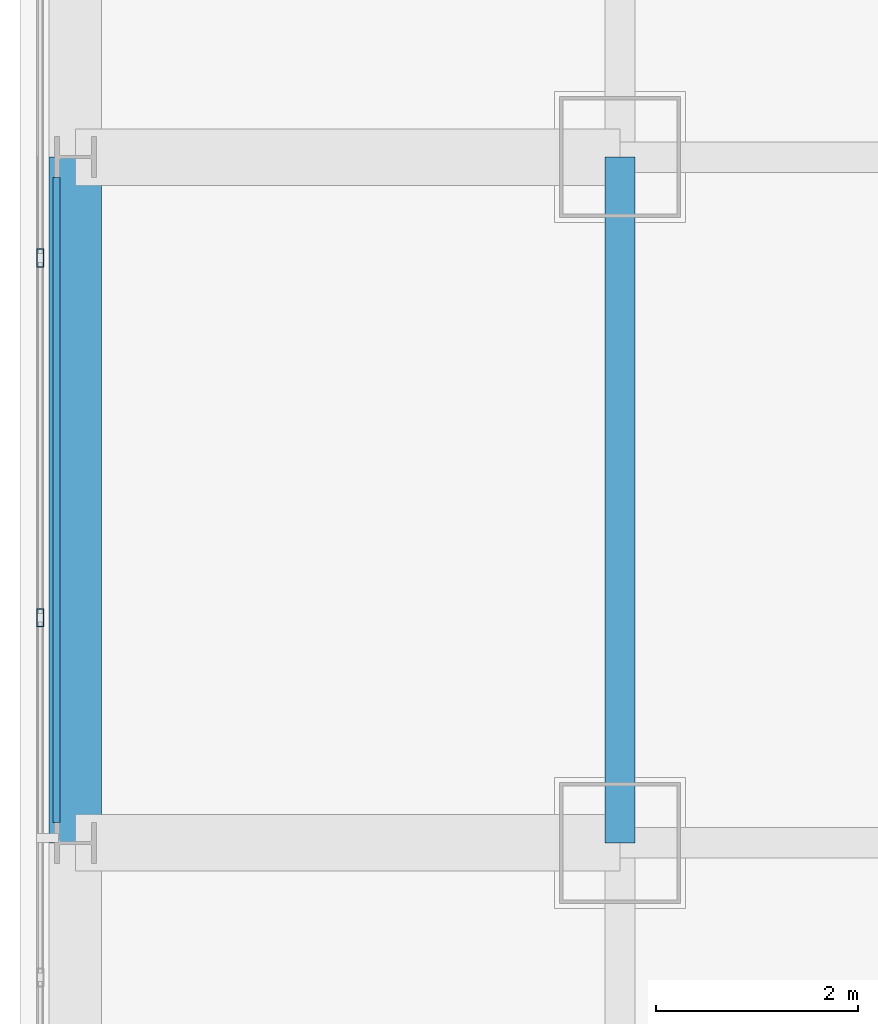
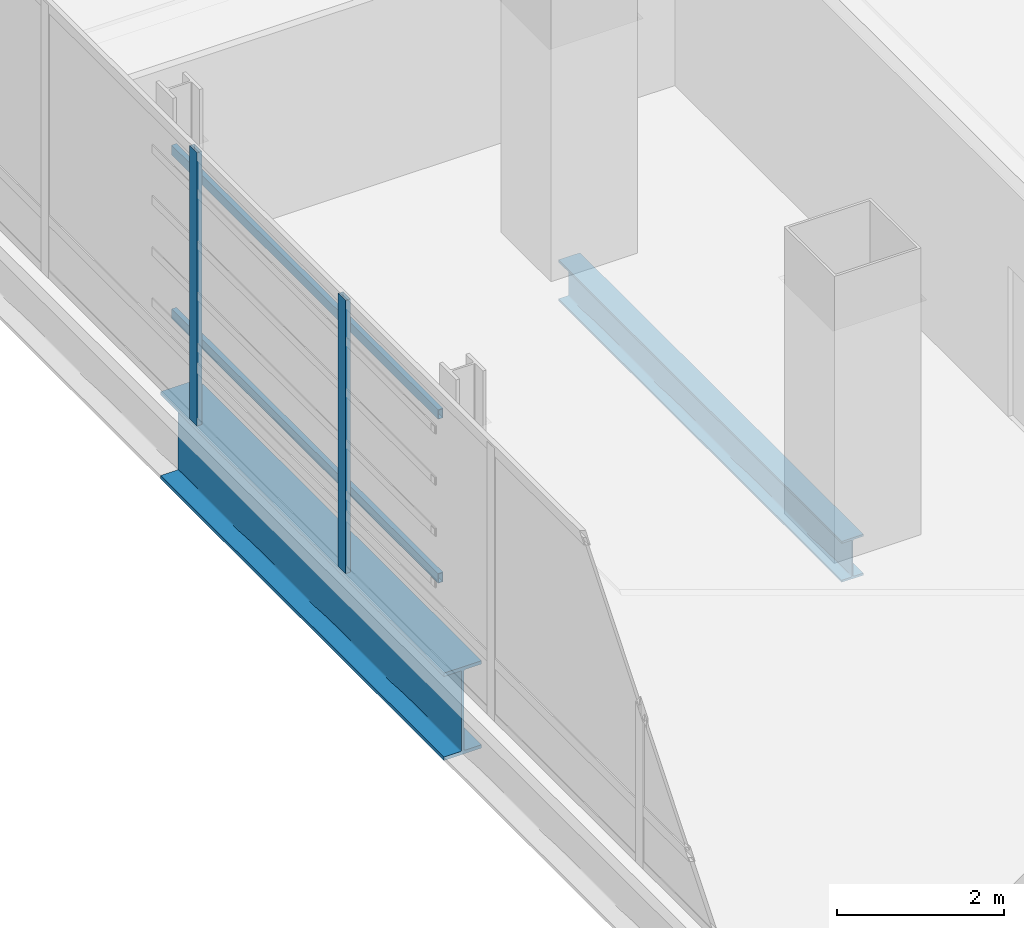
# One storey, part 11 of 42: 4 members, 2 beams, 1 element without a shape of its own.
"""IFC4 building model written with IfcOpenShell, lengths in metres."""

import ifcopenshell
import ifcopenshell.guid

model = None  # the IFC model being written
_history = None  # IfcOwnerHistory: only IFC2X3 demands one
_inside = {}  # id of a spatial element -> (the spatial element, [elements in it])
_under = {}  # id of a project, library or spatial element -> (it, [spatial elements below it])
_declared = {}  # id of a project -> (the project, [libraries it declares])
_typed = {}  # id of a type object -> (the type object, [elements of that type])
_made_of = {}  # id of a material, layer set ... -> (it, [elements and type objects made of it])


def new_model(schema):
    """Start an empty IFC model of exactly this schema.

    Asked for "IFC4X3", IfcOpenShell would pick the latest addendum, in which some entities
    have other attributes; the version numbers below select the first issue.
    IFC2X3 requires an IfcOwnerHistory on every rooted entity: one is made here for all.
    """
    global model, _history
    if schema == "IFC4X3":
        model = ifcopenshell.file(schema_version=(4, 3, 0, 0))
    else:
        model = ifcopenshell.file(schema=schema)
    _inside.clear()
    _under.clear()
    _declared.clear()
    _typed.clear()
    _made_of.clear()
    _history = None
    if model.schema == "IFC2X3":
        org = make("IfcOrganization", Name="unknown")
        user = make(
            "IfcPersonAndOrganization",
            ThePerson=make("IfcPerson", FamilyName="unknown"),
            TheOrganization=org,
        )
        app = make(
            "IfcApplication",
            ApplicationDeveloper=org,
            Version="unknown",
            ApplicationFullName="unknown",
            ApplicationIdentifier="unknown",
        )
        _history = make(
            "IfcOwnerHistory",
            OwningUser=user,
            OwningApplication=app,
            ChangeAction="ADDED",
            CreationDate=0,
        )
    return model


def make(cls, **values):
    """One entity of the class cls with the attributes given. An attribute that is None is left unset."""
    return model.create_entity(
        cls, **{name: value for name, value in values.items() if value is not None}
    )


def rooted(cls, **values):
    """An entity with a GlobalId (a new one), such as an element, a storey or a relation."""
    return make(cls, GlobalId=ifcopenshell.guid.new(), OwnerHistory=_history, **values)


def si_unit(unit_type, name, prefix=None):
    """IfcSIUnit, for example si_unit("LENGTHUNIT", "METRE", prefix="MILLI")."""
    return make("IfcSIUnit", UnitType=unit_type, Prefix=prefix, Name=name)


def assignment(units):
    """IfcUnitAssignment: the units of a project."""
    return None if units is None else make("IfcUnitAssignment", Units=units)


def point(xyz):
    """IfcCartesianPoint."""
    return None if xyz is None else make("IfcCartesianPoint", Coordinates=xyz)


def direction(xyz):
    """IfcDirection."""
    return None if xyz is None else make("IfcDirection", DirectionRatios=xyz)


def frame(location, z_axis=None, x_axis=None):
    """IfcAxis2Placement3D, a coordinate frame: its origin and axes. An axis left out is left unset."""
    return make(
        "IfcAxis2Placement3D",
        Location=point(location),
        Axis=direction(z_axis),
        RefDirection=direction(x_axis),
    )


def frame_2d(location, x_axis=None):
    """IfcAxis2Placement2D, a coordinate frame in the plane: its origin and x axis."""
    return make(
        "IfcAxis2Placement2D", Location=point(location), RefDirection=direction(x_axis)
    )


def origin():
    """The frame at (0, 0, 0) with its axes left unset."""
    return frame((0.0, 0.0, 0.0))


def origin_2d():
    """The frame at (0, 0) in the plane with its x axis left unset."""
    return frame_2d((0.0, 0.0))


def place(relative_to, where):
    """IfcLocalPlacement: puts the frame where relative to a parent placement (None: the world)."""
    return make(
        "IfcLocalPlacement", PlacementRelTo=relative_to, RelativePlacement=where
    )


def context(
    kind, dimensions, precision=None, world=None, true_north=None, identifier=None
):
    """IfcGeometricRepresentationContext, for example the 3D "Model" context."""
    return make(
        "IfcGeometricRepresentationContext",
        ContextIdentifier=identifier,
        ContextType=kind,
        CoordinateSpaceDimension=dimensions,
        Precision=precision,
        WorldCoordinateSystem=world,
        TrueNorth=true_north,
    )


def subcontext(parent, identifier, kind, view, scale=None):
    """IfcGeometricRepresentationSubContext, for example "Body" below "Model"."""
    return make(
        "IfcGeometricRepresentationSubContext",
        ContextIdentifier=identifier,
        ContextType=kind,
        ParentContext=parent,
        TargetScale=scale,
        TargetView=view,
    )


def project(units=None, contexts=None):
    """IfcProject with its units and contexts."""
    return rooted(
        "IfcProject",
        Name="project",
        RepresentationContexts=contexts,
        UnitsInContext=assignment(units),
    )


def spatial(cls, under=None, at=None, **own):
    """A site, building, storey or space (cls), placed at a placement, below another one or the project."""
    s = rooted(cls, ObjectPlacement=at, **own)
    if under is not None:
        _under.setdefault(under.id(), (under, []))[1].append(s)
    return s


def profile(cls, at=None, kind="AREA", **sizes):
    """A parametric profile (cls). Its sizes go by their IFC names, for example OverallWidth=200.0."""
    return make(cls, ProfileType=kind, Position=at, **sizes)


def hollow_rectangle(**sizes):
    """IfcRectangleHollowProfileDef."""
    return profile("IfcRectangleHollowProfileDef", **sizes)


def i_section(**sizes):
    """IfcIShapeProfileDef."""
    return profile("IfcIShapeProfileDef", **sizes)


def extrude(swept, where, along, depth):
    """IfcExtrudedAreaSolid: the profile swept, set in the frame where, extruded along a direction by depth."""
    return make(
        "IfcExtrudedAreaSolid",
        SweptArea=swept,
        Position=where,
        ExtrudedDirection=direction(along),
        Depth=depth,
    )


def shape(context_of_items, identifier, shape_type, items):
    """IfcShapeRepresentation: the items that make up one representation, for example the "Body"."""
    return make(
        "IfcShapeRepresentation",
        ContextOfItems=context_of_items,
        RepresentationIdentifier=identifier,
        RepresentationType=shape_type,
        Items=items,
    )


def material(Name=None, Category=None):
    """IfcMaterial."""
    return make("IfcMaterial", Name=Name, Category=Category)


def material_profile(
    of_material, cross_section, Name=None, Category=None, Priority=None
):
    """IfcMaterialProfile: a cross section and its material."""
    return make(
        "IfcMaterialProfile",
        Name=Name,
        Material=of_material,
        Profile=cross_section,
        Priority=Priority,
        Category=Category,
    )


def profile_set(profiles, Name=None, composite=None):
    """IfcMaterialProfileSet."""
    return make(
        "IfcMaterialProfileSet",
        Name=Name,
        MaterialProfiles=profiles,
        CompositeProfile=composite,
    )


def made_of(thing, what):
    """Note that an element or type object is made of a material, layer set ...; save() writes the relation."""
    if what is not None:
        _made_of.setdefault(what.id(), (what, []))[1].append(thing)
    return thing


def type_object(cls, material=None, **own):
    """A type object (cls), such as IfcWallType, which elements share."""
    return made_of(rooted(cls, **own), material)


def element(
    cls,
    number,
    at=None,
    inside=None,
    cuts=None,
    type_object=None,
    material=None,
    context=None,
    identifier="Body",
    shape_type=None,
    held_by="IfcProductDefinitionShape",
    body=None,
    shapes=None,
    **own,
):
    """One element of the class cls, such as IfcWall. Its Tag is "e" and its number.

    at: its placement. inside: the storey or other place that contains it. cuts: it is an
    opening in that element (IfcRelVoidsElement). A single representation is given by context,
    identifier, shape_type and body (its items); several are given by shapes. held_by: the class
    of the entity that holds the representations. save() writes the other relations.
    """
    e = rooted(cls, Tag="e%d" % number, ObjectPlacement=at, **own)
    if body is not None:
        shapes = [shape(context, identifier, shape_type, body)]
    if shapes is not None:
        e.Representation = make(held_by, Representations=shapes)
    if inside is not None:
        _inside.setdefault(inside.id(), (inside, []))[1].append(e)
    if cuts is not None:
        rooted(
            "IfcRelVoidsElement", RelatingBuildingElement=cuts, RelatedOpeningElement=e
        )
    if type_object is not None:
        _typed.setdefault(type_object.id(), (type_object, []))[1].append(e)
    return made_of(e, material)


def aggregate(whole, parts):
    """IfcRelAggregates: a whole, such as a stair, and the parts it consists of."""
    return rooted("IfcRelAggregates", RelatingObject=whole, RelatedObjects=parts)


def save(model, path):
    """Write the relations noted so far, then the file.

    IfcRelAggregates (storeys below a building ...), IfcRelContainedInSpatialStructure (elements
    in a storey), IfcRelDefinesByType, IfcRelAssociatesMaterial and IfcRelDeclares: one each for
    every whole, place, type object, material and project.
    """
    for whole, parts in _under.values():
        aggregate(whole, parts)
    for where, things in _inside.values():
        rooted(
            "IfcRelContainedInSpatialStructure",
            RelatedElements=things,
            RelatingStructure=where,
        )
    for kind, things in _typed.values():
        rooted("IfcRelDefinesByType", RelatedObjects=things, RelatingType=kind)
    for what, things in _made_of.values():
        rooted("IfcRelAssociatesMaterial", RelatedObjects=things, RelatingMaterial=what)
    for by, libraries in _declared.values():
        rooted("IfcRelDeclares", RelatingContext=by, RelatedDefinitions=libraries)
    model.write(path)


model = new_model("IFC4")

# Units and contexts
model_context = context("Model", 3, precision=1e-05, world=origin(), true_north=direction((0.0, 1.0)))
body_context = subcontext(model_context, "Body", "Model", "MODEL_VIEW")
ifc_project = project(units=[si_unit("LENGTHUNIT", "METRE"), si_unit("AREAUNIT", "SQUARE_METRE"), si_unit("VOLUMEUNIT", "CUBIC_METRE"), si_unit("PLANEANGLEUNIT", "RADIAN"), si_unit("MASSUNIT", "GRAM", prefix="KILO")], contexts=[model_context])

# Site, building, storey
site_placement = place(None, origin())
site = spatial("IfcSite", under=ifc_project, at=site_placement, CompositionType="ELEMENT")
building_placement = place(site_placement, origin())
building = spatial("IfcBuilding", under=site, at=building_placement, Name="Punatoya Terracotta Tower", CompositionType="ELEMENT")
storey_placement = place(building_placement, frame((0.0, 0.0, 304.800048828125)))
storey = spatial("IfcBuildingStorey", under=building, at=storey_placement, Name="L72", CompositionType="ELEMENT", Elevation=304.800048828125)

# Beams
ifc_material_1 = material(Name="Steel S355", Category="steel")
ifc_material_profile_1 = material_profile(ifc_material_1, i_section(OverallWidth=0.300048828125, OverallDepth=0.60009765625, WebThickness=0.015380859375, FlangeThickness=0.030029296875, FilletRadius=0.01806640625, at=origin_2d()))
ifc_profile_set_1 = profile_set([ifc_material_profile_1], Name="Steel S355")
beam_type_1 = type_object("IfcBeamType", Name="BM-PRI-600", PredefinedType="BEAM", material=ifc_profile_set_1)
beam_1_placement = place(storey_placement, frame((-19.10009765625, -3.39990234375, -0.5), z_axis=(0.0, 1.0, 0.0), x_axis=(-1.0, 0.0, 0.0)))
element("IfcBeam", 1, at=beam_1_placement, inside=storey, type_object=beam_type_1, Name="BM-L72-RG-W2", PredefinedType="BEAM", context=body_context, shape_type="SweptSolid", body=[
    extrude(i_section(OverallWidth=0.300048828125, OverallDepth=0.60009765625, WebThickness=0.015380859375, FlangeThickness=0.030029296875, FilletRadius=0.01806640625, at=origin_2d()), origin(), (0.0, 0.0, 1.0), 6.7998046875),
])
ifc_material_2 = material(Name="Steel S460", Category="steel")
ifc_material_profile_2 = material_profile(ifc_material_2, i_section(OverallWidth=0.52001953125, OverallDepth=1.280029296875, WebThickness=0.031982421875, FlangeThickness=0.050048828125, FilletRadius=0.01806640625, at=origin_2d()))
ifc_profile_set_2 = profile_set([ifc_material_profile_2], Name="Steel S460")
beam_type_2 = type_object("IfcBeamType", Name="BM-TG-NCK", PredefinedType="BEAM", material=ifc_profile_set_2)
beam_2_placement = place(storey_placement, frame((-24.5, -3.39990234375, -0.840087890625), z_axis=(0.0, 1.0, 0.0), x_axis=(-1.0, 0.0, 0.0)))
element("IfcBeam", 2, at=beam_2_placement, inside=storey, type_object=beam_type_2, Name="BM-L72-PER-W2", PredefinedType="BEAM", context=body_context, shape_type="SweptSolid", body=[
    extrude(i_section(OverallWidth=0.52001953125, OverallDepth=1.280029296875, WebThickness=0.031982421875, FlangeThickness=0.050048828125, FilletRadius=0.01806640625, at=origin_2d()), origin(), (0.0, 0.0, 1.0), 6.7998046875),
])

# Curtain wall, members
ifc_material_3 = material(Name="Aluminium 6063-T6 + Double Low-E Glass", Category="aluminium")
curtain_wall_type = type_object("IfcCurtainWallType", Name="CW-M3", PredefinedType="NOTDEFINED", material=ifc_material_3)
curtain_wall_placement = place(storey_placement, origin())
curtain_wall = element("IfcCurtainWall", 3, at=curtain_wall_placement, inside=storey, type_object=curtain_wall_type, Name="L72 Curtain Wall CW-L72-W13-1", PredefinedType="NOTDEFINED")
ifc_material_4 = material(Name="Aluminium 6063-T6", Category="aluminium")
ifc_material_profile_3 = material_profile(ifc_material_4, hollow_rectangle(XDim=0.070068359375, YDim=0.179931640625, WallThickness=0.00390625, at=origin_2d()))
ifc_profile_set_3 = profile_set([ifc_material_profile_3], Name="Aluminium 6063-T6")
member_type_1 = type_object("IfcMemberType", Name="CW-MUL-M3", PredefinedType="MULLION", material=ifc_profile_set_3)
member_1_placement = place(storey_placement, frame((-24.85009765625, 2.39990234375, 0.0), z_axis=(0.0, 0.0, 1.0), x_axis=(1.0, 0.0, 0.0)))
member_1 = element("IfcMember", 4, at=member_1_placement, type_object=member_type_1, Name="CW-L72-W13-1 Mullion 05", PredefinedType="MULLION", context=body_context, shape_type="SweptSolid", body=[
    extrude(hollow_rectangle(XDim=0.070068359375, YDim=0.179931640625, WallThickness=0.00390625, at=origin_2d()), origin(), (0.0, 0.0, 1.0), 4.0),
])
member_2_placement = place(storey_placement, frame((-24.85009765625, -1.16748046875, 0.0), z_axis=(0.0, 0.0, 1.0), x_axis=(1.0, 0.0, 0.0)))
member_2 = element("IfcMember", 5, at=member_2_placement, type_object=member_type_1, Name="CW-L72-W13-1 Mullion 06", PredefinedType="MULLION", context=body_context, shape_type="SweptSolid", body=[
    extrude(hollow_rectangle(XDim=0.070068359375, YDim=0.179931640625, WallThickness=0.00390625, at=origin_2d()), origin(), (0.0, 0.0, 1.0), 4.0),
])
aggregate(curtain_wall, [member_1, member_2])

# Members
ifc_material_profile_4 = material_profile(ifc_material_1, hollow_rectangle(XDim=0.070068359375, YDim=0.139892578125, WallThickness=0.006103515625, at=origin_2d()))
ifc_profile_set_4 = profile_set([ifc_material_profile_4], Name="Steel S355")
member_type_2 = type_object("IfcMemberType", Name="MEM-BAG-RAIL", PredefinedType="USERDEFINED", material=ifc_profile_set_4)
for number, where, z_axis, x_axis, name in (
    (6, (-24.68994140625, -3.197509765625, 1.050048828125), (0.0, 1.0, 0.0), (-1.0, 0.0, 0.0), "L72 Terracotta Baguette Carrier Rail BAG-L72-W-R1"),
    (7, (-24.68994140625, -3.197509765625, 3.449951171875), (0.0, 1.0, 0.0), (-1.0, 0.0, 0.0), "L72 Terracotta Baguette Carrier Rail BAG-L72-W-R2"),
):
    element("IfcMember", number, at=place(storey_placement, frame(where, z_axis=z_axis, x_axis=x_axis)), inside=storey, type_object=member_type_2, Name=name, ObjectType="BAGUETTE", PredefinedType="USERDEFINED", context=body_context, shape_type="SweptSolid", body=[
        extrude(hollow_rectangle(XDim=0.070068359375, YDim=0.139892578125, WallThickness=0.006103515625, at=origin_2d()), origin(), (0.0, 0.0, 1.0), 6.39501953125),
    ])

save(model, "model.ifc")
